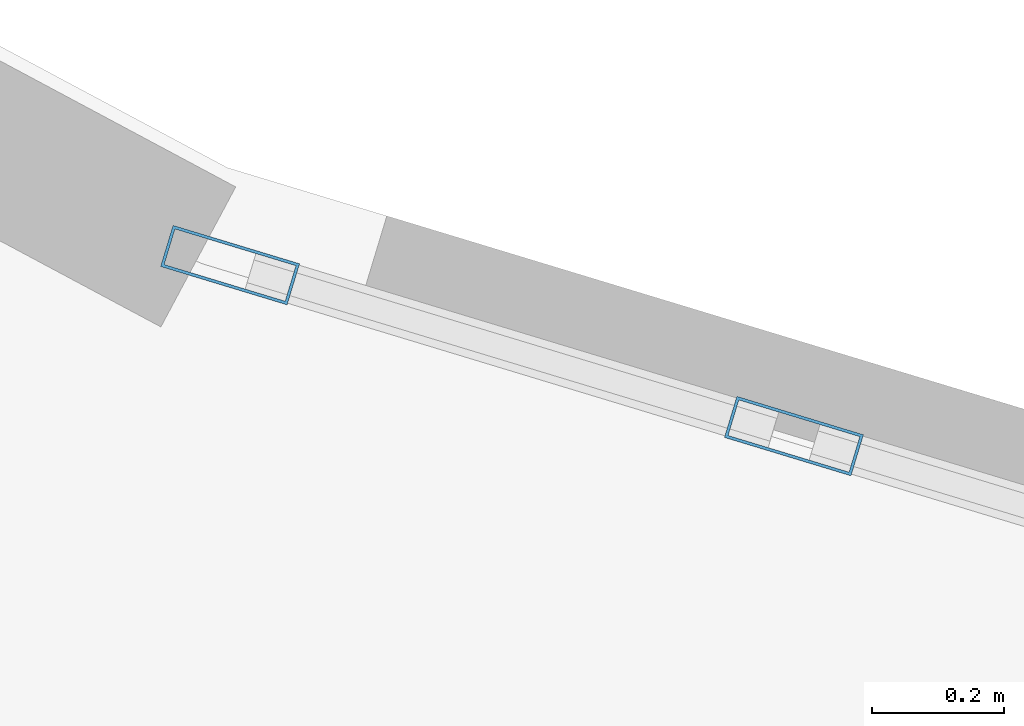
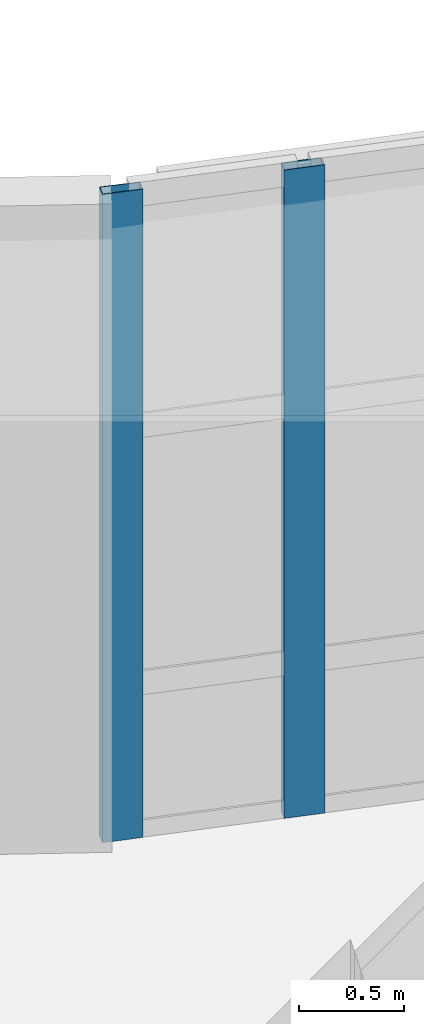
# One storey, part 30 of 105: 2 members, 1 element without a shape of its own.
"""IFC4 building model written with IfcOpenShell, lengths in metres."""

from ifc_helpers import new_model, si_unit, direction, frame, origin, origin_2d, place, context, subcontext, project, spatial, hollow_rectangle, extrude, material, layer, layer_set, material_profile, profile_set, type_object, element, aggregate, save


model = new_model("IFC4")

# Units and contexts
model_context = context("Model", 3, precision=1e-05, world=origin(), true_north=direction((0.0, 1.0)))
body_context = subcontext(model_context, "Body", "Model", "MODEL_VIEW")
ifc_project = project(units=[si_unit("LENGTHUNIT", "METRE"), si_unit("AREAUNIT", "SQUARE_METRE"), si_unit("VOLUMEUNIT", "CUBIC_METRE"), si_unit("PLANEANGLEUNIT", "RADIAN"), si_unit("MASSUNIT", "GRAM", prefix="KILO")], contexts=[model_context])

# Site, building, storey
site_placement = place(None, origin())
site = spatial("IfcSite", under=ifc_project, at=site_placement, CompositionType="ELEMENT")
building_placement = place(site_placement, origin())
building = spatial("IfcBuilding", under=site, at=building_placement, Name="Kelanivale Promenade Academy", CompositionType="ELEMENT")
storey_placement = place(building_placement, frame((0.0, 0.0, 4.199951171875)))
storey = spatial("IfcBuildingStorey", under=building, at=storey_placement, Name="L01", CompositionType="ELEMENT", Elevation=4.199951171875)

# Curtain wall, members
ifc_material_1 = material(Name="Bronze anodised aluminium and solar-control low-E glass", Category="aluminium")
ifc_layer = layer(ifc_material_1, 0.179931640625)
ifc_layer_set = layer_set([ifc_layer], Name="Bronze anodised aluminium and solar-control low-E glass")
curtain_wall_type = type_object("IfcCurtainWallType", Name="CW-20 Curtain Wall 1500mm Module", PredefinedType="USERDEFINED", material=ifc_layer_set)
curtain_wall_placement = place(storey_placement, origin())
curtain_wall = element("IfcCurtainWall", 1, at=curtain_wall_placement, inside=storey, type_object=curtain_wall_type, Name="L01 courtyard curtain wall CW-20", ObjectType="COURTYARD SCREEN GLAZING", PredefinedType="USERDEFINED")
ifc_material_2 = material(Name="Bronze anodised aluminium EN AW-6063 T6", Category="aluminium")
ifc_material_profile = material_profile(ifc_material_2, hollow_rectangle(XDim=0.06494140625, YDim=0.199951171875, WallThickness=0.00439453125, at=origin_2d()), Name="ALU 65x200x4.5")
ifc_profile_set = profile_set([ifc_material_profile], Name="Bronze anodised aluminium EN AW-6063 T6")
member_type = type_object("IfcMemberType", Name="CWM-04 ALU 65x200x4.5", PredefinedType="MULLION", material=ifc_profile_set)
member_1_placement = place(storey_placement, frame((95.169189453125, 47.87548828125, 0.0), z_axis=(0.0, 0.0, 1.0), x_axis=(0.290127576893, 0.956987977524, 0.0)))
member_1 = element("IfcMember", 2, at=member_1_placement, type_object=member_type, Name="CW-20 mullion 1", PredefinedType="MULLION", context=body_context, shape_type="SweptSolid", body=[
    extrude(hollow_rectangle(XDim=0.06494140625, YDim=0.199951171875, WallThickness=0.00439453125, at=origin_2d()), origin(), (0.0, 0.0, 1.0), 3.780029296875),
])
member_2_placement = place(storey_placement, frame((96.02197265625, 47.616943359375, 0.0), z_axis=(0.0, 0.0, 1.0), x_axis=(0.290127576893, 0.956987977524, 0.0)))
member_2 = element("IfcMember", 3, at=member_2_placement, type_object=member_type, Name="CW-20 mullion 2", PredefinedType="MULLION", context=body_context, shape_type="SweptSolid", body=[
    extrude(hollow_rectangle(XDim=0.06494140625, YDim=0.199951171875, WallThickness=0.00439453125, at=origin_2d()), origin(), (0.0, 0.0, 1.0), 3.780029296875),
])
aggregate(curtain_wall, [member_1, member_2])

save(model, "model.ifc")
